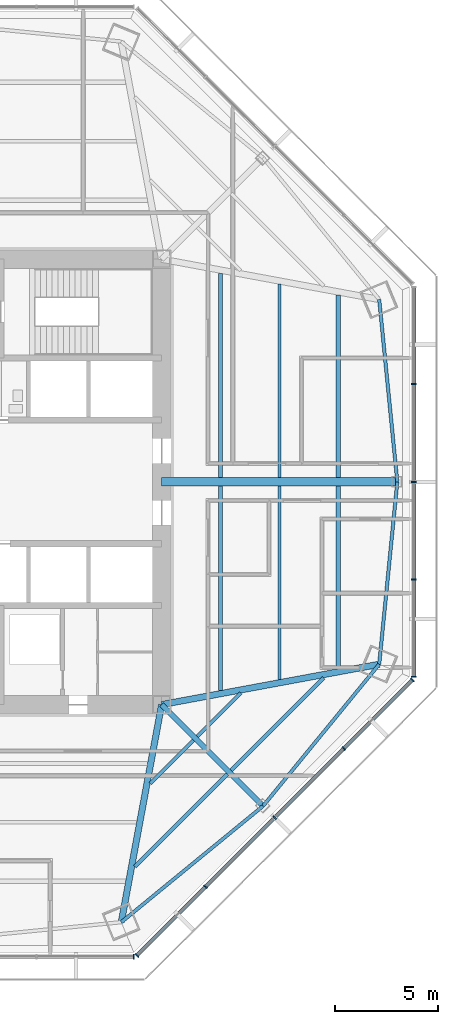
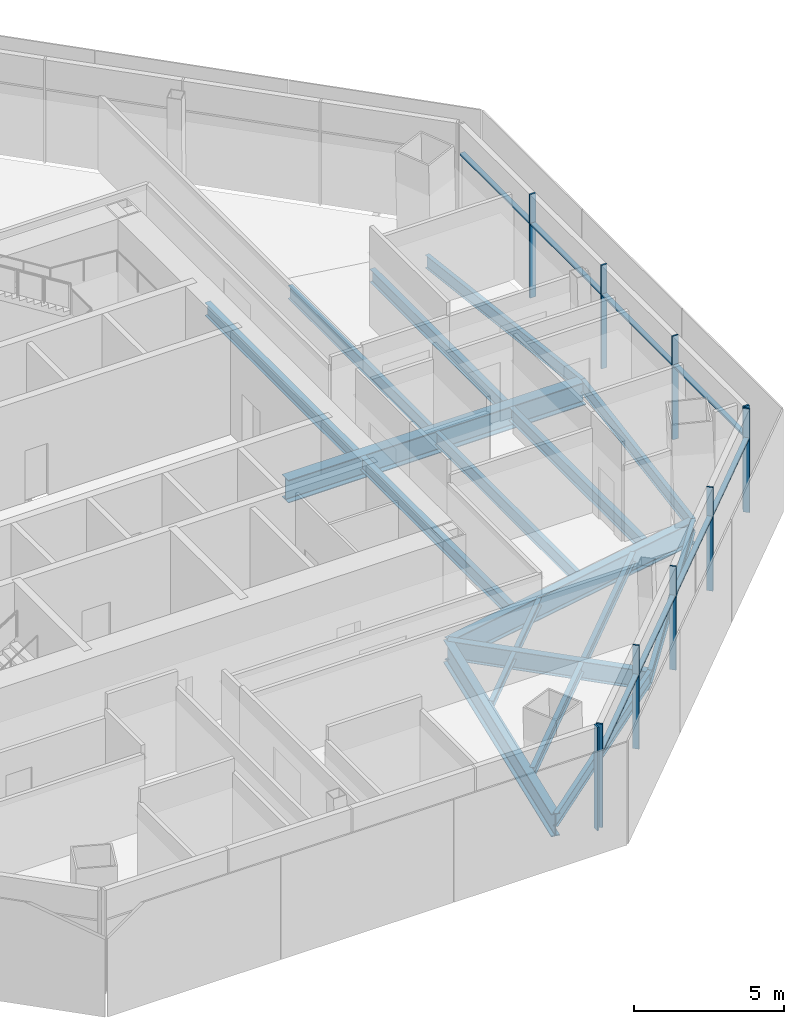
# One storey, part 4 of 15: 18 beams, 18 members, 3 elements without a shape of their own.
"""IFC4 building model written with IfcOpenShell, lengths in metres."""

from ifc_helpers import new_model, si_unit, direction, frame, origin, origin_2d, place, context, subcontext, project, spatial, rectangle, i_section, extrude, source, transform, mapped, material, material_profile, profile_set, type_object, type_shapes, element, aggregate, save


model = new_model("IFC4")

# Units and contexts
model_context = context("Model", 3, precision=1e-05, world=origin(), true_north=direction((0.0, 1.0)))
body_context = subcontext(model_context, "Body", "Model", "MODEL_VIEW")
ifc_project = project(units=[si_unit("LENGTHUNIT", "METRE"), si_unit("AREAUNIT", "SQUARE_METRE"), si_unit("VOLUMEUNIT", "CUBIC_METRE"), si_unit("PLANEANGLEUNIT", "RADIAN"), si_unit("MASSUNIT", "GRAM", prefix="KILO")], contexts=[model_context])

# Site, building, storey
site_placement = place(None, origin())
site = spatial("IfcSite", under=ifc_project, at=site_placement, CompositionType="ELEMENT")
building_placement = place(site_placement, origin())
building = spatial("IfcBuilding", under=site, at=building_placement, Name="Mashrafa Tower", CompositionType="ELEMENT")
storey_placement = place(building_placement, frame((0.0, 0.0, 176.39990234375)))
storey = spatial("IfcBuildingStorey", under=building, at=storey_placement, Name="L40", CompositionType="ELEMENT", Elevation=176.39990234375)

# Beams
ifc_material_1 = material(Name="Steel ASTM A992", Category="steel")
ifc_material_profile_1 = material_profile(ifc_material_1, i_section(OverallWidth=0.164794921875, OverallDepth=0.309814453125, WebThickness=0.005859375, FlangeThickness=0.009765625, FilletRadius=0.007568359375, at=origin_2d()), Name="W12X26")
ifc_profile_set_1 = profile_set([ifc_material_profile_1], Name="Steel ASTM A992")
beam_type_1 = type_object("IfcBeamType", Name="Beam W12X26", PredefinedType="BEAM", material=ifc_profile_set_1)
for number, where, z_axis, x_axis, name in (
    (1, (12.34521484375, -12.53369140625, -0.31982421875), (-0.707106781187, -0.707106781187, 0.0), (0.707106781187, -0.707106781187, 0.0), "Floor beam L40 029"),
    (2, (14.63330078125, -10.24560546875, -0.31982421875), (-0.707106781187, -0.707106781187, 0.0), (0.707106781187, -0.707106781187, 0.0), "Floor beam L40 035"),
):
    element("IfcBeam", number, at=place(storey_placement, frame(where, z_axis=z_axis, x_axis=x_axis)), inside=storey, type_object=beam_type_1, Name=name, PredefinedType="BEAM", context=body_context, shape_type="SweptSolid", body=[
        extrude(i_section(OverallWidth=0.164794921875, OverallDepth=0.309814453125, WebThickness=0.005859375, FlangeThickness=0.009765625, FilletRadius=0.007568359375, at=origin_2d()), origin(), (0.0, 0.0, 1.0), 2.96923828125),
    ])
ifc_material_2 = material(Name="Steel ASTM A992", Category="steel")
ifc_material_profile_2 = material_profile(ifc_material_2, i_section(OverallWidth=0.177734375, OverallDepth=0.406494140625, WebThickness=0.0078125, FlangeThickness=0.012939453125, FilletRadius=0.01025390625, at=origin_2d()), Name="W16X40")
ifc_profile_set_2 = profile_set([ifc_material_profile_2], Name="Steel ASTM A992")
beam_type_2 = type_object("IfcBeamType", Name="Beam W16X40", PredefinedType="BEAM", material=ifc_profile_set_2)
for number, where, z_axis, x_axis, name in (
    (3, (13.984619140625, -14.17333984375, -0.3681640625), (-0.707087536258, -0.707126025591, 0.0), (0.707126025591, -0.707087536258, 0.0), "Floor beam L40 033"),
    (4, (18.65869140625, -9.49951171875, -0.3681640625), (-0.707126025591, -0.707087536258, 0.0), (0.707087536258, -0.707126025591, 0.0), "Floor beam L40 038"),
):
    element("IfcBeam", number, at=place(storey_placement, frame(where, z_axis=z_axis, x_axis=x_axis)), inside=storey, type_object=beam_type_2, Name=name, PredefinedType="BEAM", context=body_context, shape_type="SweptSolid", body=[
        extrude(i_section(OverallWidth=0.177734375, OverallDepth=0.406494140625, WebThickness=0.0078125, FlangeThickness=0.012939453125, FilletRadius=0.01025390625, at=origin_2d()), origin(), (0.0, 0.0, 1.0), 6.343017578125),
    ])
ifc_material_3 = material(Name="Steel ASTM A992", Category="steel")
ifc_material_profile_3 = material_profile(ifc_material_3, i_section(OverallWidth=0.1650390625, OverallDepth=0.52587890625, WebThickness=0.0087890625, FlangeThickness=0.011474609375, FilletRadius=0.0126953125, at=origin_2d()), Name="W21X44")
ifc_profile_set_3 = profile_set([ifc_material_profile_3], Name="Steel ASTM A992")
beam_type_3 = type_object("IfcBeamType", Name="Beam W21X44", PredefinedType="BEAM", material=ifc_profile_set_3)
for number, where, z_axis, x_axis, name in (
    (5, (16.5146484375, -0.20947265625, -0.427734375), (0.0, -1.0, 0.0), (1.0, 0.0, 0.0), "Floor beam L40 036"),
    (6, (16.5146484375, 9.584228515625, -0.427734375), (0.0, -1.0, 0.0), (1.0, 0.0, 0.0), "Floor beam L40 037"),
):
    element("IfcBeam", number, at=place(storey_placement, frame(where, z_axis=z_axis, x_axis=x_axis)), inside=storey, type_object=beam_type_3, Name=name, PredefinedType="BEAM", context=body_context, shape_type="SweptSolid", body=[
        extrude(i_section(OverallWidth=0.1650390625, OverallDepth=0.52587890625, WebThickness=0.0087890625, FlangeThickness=0.011474609375, FilletRadius=0.0126953125, at=origin_2d()), origin(), (0.0, 0.0, 1.0), 9.374755859375),
    ])
for number, where, z_axis, x_axis, name in (
    (7, (8.843994140625, -21.35107421875, -0.427734375), (0.773517718955, 0.633774674835, 0.0), (-0.633774674835, 0.773517718955, 0.0), "Spandrel beam L40 066"),
    (8, (15.718505859375, -15.718505859375, -0.427734375), (0.633774674835, 0.773517718955, 0.0), (-0.773517718955, 0.633774674835, 0.0), "Spandrel beam L40 068"),
    (9, (21.35107421875, -8.843994140625, -0.427734375), (0.098810141474, 0.99510630384, 0.0), (-0.99510630384, 0.098810141474, 0.0), "Spandrel beam L40 070"),
    (10, (22.229248046875, 0.0, -0.427734375), (-0.098810141474, 0.99510630384, 0.0), (-0.99510630384, -0.098810141474, 0.0), "Spandrel beam L40 072"),
):
    element("IfcBeam", number, at=place(storey_placement, frame(where, z_axis=z_axis, x_axis=x_axis)), inside=storey, type_object=beam_type_3, Name=name, PredefinedType="BEAM", context=body_context, shape_type="SweptSolid", body=[
        extrude(i_section(OverallWidth=0.1650390625, OverallDepth=0.52587890625, WebThickness=0.0087890625, FlangeThickness=0.011474609375, FilletRadius=0.0126953125, at=origin_2d()), origin(), (0.0, 0.0, 1.0), 8.887451171875),
    ])
ifc_material_4 = material(Name="Steel ASTM A992", Category="steel")
ifc_material_profile_4 = material_profile(ifc_material_4, i_section(OverallWidth=0.209228515625, OverallDepth=0.533447265625, WebThickness=0.01025390625, FlangeThickness=0.015625, FilletRadius=0.012939453125, at=origin_2d()), Name="W21X62")
ifc_profile_set_4 = profile_set([ifc_material_profile_4], Name="Steel ASTM A992")
beam_type_4 = type_object("IfcBeamType", Name="Beam W21X62", PredefinedType="BEAM", material=ifc_profile_set_4)
for number, where, z_axis, x_axis, name in (
    (11, (13.6572265625, -0.20947265625, -0.431640625), (0.0, -1.0, 0.0), (1.0, 0.0, 0.0), "Floor beam L40 031"),
    (12, (13.6572265625, 10.114013671875, -0.431640625), (0.0, -1.0, 0.0), (1.0, 0.0, 0.0), "Floor beam L40 032"),
):
    element("IfcBeam", number, at=place(storey_placement, frame(where, z_axis=z_axis, x_axis=x_axis)), inside=storey, type_object=beam_type_4, Name=name, PredefinedType="BEAM", context=body_context, shape_type="SweptSolid", body=[
        extrude(i_section(OverallWidth=0.209228515625, OverallDepth=0.533447265625, WebThickness=0.01025390625, FlangeThickness=0.015625, FilletRadius=0.012939453125, at=origin_2d()), origin(), (0.0, 0.0, 1.0), 9.904541015625),
    ])
for number, where, z_axis, x_axis, name in (
    (13, (19.3720703125, -0.20947265625, -0.431640625), (0.0, -1.0, 0.0), (1.0, 0.0, 0.0), "Floor beam L40 039"),
    (14, (19.3720703125, 9.054443359375, -0.431640625), (0.0, -1.0, 0.0), (1.0, 0.0, 0.0), "Floor beam L40 040"),
):
    element("IfcBeam", number, at=place(storey_placement, frame(where, z_axis=z_axis, x_axis=x_axis)), inside=storey, type_object=beam_type_4, Name=name, PredefinedType="BEAM", context=body_context, shape_type="SweptSolid", body=[
        extrude(i_section(OverallWidth=0.209228515625, OverallDepth=0.533447265625, WebThickness=0.01025390625, FlangeThickness=0.015625, FilletRadius=0.012939453125, at=origin_2d()), origin(), (0.0, 0.0, 1.0), 8.844970703125),
    ])
ifc_material_5 = material(Name="Steel ASTM A992", Category="steel")
ifc_material_profile_5 = material_profile(ifc_material_5, i_section(OverallWidth=0.2666015625, OverallDepth=0.75439453125, WebThickness=0.01318359375, FlangeThickness=0.01708984375, FilletRadius=0.0166015625, at=origin_2d()), Name="W30X99")
ifc_profile_set_5 = profile_set([ifc_material_profile_5], Name="Steel ASTM A992")
beam_type_5 = type_object("IfcBeamType", Name="Beam W30X99", PredefinedType="BEAM", material=ifc_profile_set_5)
beam_1_placement = place(storey_placement, frame((10.800048828125, -10.800048828125, -0.5419921875), z_axis=(0.707106781187, -0.707106781187, 0.0), x_axis=(0.707106781187, 0.707106781187, 0.0)))
element("IfcBeam", 15, at=beam_1_placement, inside=storey, type_object=beam_type_5, Name="Radial girder L40 051", PredefinedType="BEAM", context=body_context, shape_type="SweptSolid", body=[
    extrude(i_section(OverallWidth=0.2666015625, OverallDepth=0.75439453125, WebThickness=0.01318359375, FlangeThickness=0.01708984375, FilletRadius=0.0166015625, at=origin_2d()), origin(), (0.0, 0.0, 1.0), 6.955810546875),
])
ifc_material_6 = material(Name="Steel ASTM A992", Category="steel")
ifc_material_profile_6 = material_profile(ifc_material_6, i_section(OverallWidth=0.307373046875, OverallDepth=0.927001953125, WebThickness=0.01953125, FlangeThickness=0.031982421875, FilletRadius=0.01904296875, at=origin_2d()), Name="W36X194")
ifc_profile_set_6 = profile_set([ifc_material_profile_6], Name="Steel ASTM A992")
beam_type_6 = type_object("IfcBeamType", Name="Beam W36X194", PredefinedType="BEAM", material=ifc_profile_set_6)
for number, where, z_axis, x_axis, name in (
    (16, (10.800048828125, -10.800048828125, -0.62841796875), (-0.182283970917, -0.983245927501, 0.0), (0.983245927501, -0.182283970917, 0.0), "Radial girder L40 050"),
    (17, (10.800048828125, -10.800048828125, -0.62841796875), (0.983245927501, 0.182283970917, 0.0), (-0.182283970917, 0.983245927501, 0.0), "Radial girder L40 052"),
):
    element("IfcBeam", number, at=place(storey_placement, frame(where, z_axis=z_axis, x_axis=x_axis)), inside=storey, type_object=beam_type_6, Name=name, PredefinedType="BEAM", context=body_context, shape_type="SweptSolid", body=[
        extrude(i_section(OverallWidth=0.307373046875, OverallDepth=0.927001953125, WebThickness=0.01953125, FlangeThickness=0.031982421875, FilletRadius=0.01904296875, at=origin_2d()), origin(), (0.0, 0.0, 1.0), 10.730712890625),
    ])
ifc_material_7 = material(Name="Steel ASTM A992", Category="steel")
ifc_material_profile_7 = material_profile(ifc_material_7, i_section(OverallWidth=0.419189453125, OverallDepth=0.927001953125, WebThickness=0.019287109375, FlangeThickness=0.031982421875, FilletRadius=0.020263671875, at=origin_2d()), Name="W36X231")
ifc_profile_set_7 = profile_set([ifc_material_profile_7], Name="Steel ASTM A992")
beam_type_7 = type_object("IfcBeamType", Name="Beam W36X231", PredefinedType="BEAM", material=ifc_profile_set_7)
beam_2_placement = place(storey_placement, frame((10.800048828125, 0.0, -0.62841796875), z_axis=(1.0, 0.0, 0.0), x_axis=(0.0, 1.0, 0.0)))
element("IfcBeam", 18, at=beam_2_placement, inside=storey, type_object=beam_type_7, Name="Radial girder L40 053", PredefinedType="BEAM", context=body_context, shape_type="SweptSolid", body=[
    extrude(i_section(OverallWidth=0.419189453125, OverallDepth=0.927001953125, WebThickness=0.019287109375, FlangeThickness=0.031982421875, FilletRadius=0.020263671875, at=origin_2d()), origin(), (0.0, 0.0, 1.0), 11.42919921875),
])

# Curtain wall, members
ifc_material_8 = material(Name="Unitised aluminium curtain wall", Category="aluminium")
curtain_wall_type = type_object("IfcCurtainWallType", Name="Office curtain wall, zone 2 CW-B 225 deep", PredefinedType="NOTDEFINED", material=ifc_material_8)
curtain_wall_1_placement = place(storey_placement, origin())
curtain_wall_1 = element("IfcCurtainWall", 19, at=curtain_wall_1_placement, inside=storey, type_object=curtain_wall_type, Name="Office curtain wall, zone 2 L40 east", PredefinedType="NOTDEFINED")
ifc_material_9 = material(Name="Extruded aluminium mullion", Category="aluminium")
ifc_material_profile_8 = material_profile(ifc_material_9, rectangle(XDim=0.22509765625, YDim=0.06494140625, at=origin_2d()), Name="Mullion 65x225")
ifc_profile_set_8 = profile_set([ifc_material_profile_8], Name="Extruded aluminium mullion")
member_type_1 = type_object("IfcMemberType", Name="Mullion CW-B 65 x 225", PredefinedType="MULLION", material=ifc_profile_set_8)
shared_shape_1 = source(origin(), body_context, "Body", "SweptSolid", [
    extrude(rectangle(XDim=0.22509765625, YDim=0.06494140625, at=origin_2d()), origin(), (0.0, 0.0, 1.0), 4.2001953125),
])
type_shapes(member_type_1, [shared_shape_1])
member_1_placement = place(storey_placement, frame((23.024658203125, -9.447998046875, 0.0), z_axis=(0.0, 0.0, 1.0), x_axis=(-1.0, 0.0, 0.0)))
member_1 = element("IfcMember", 20, at=member_1_placement, type_object=member_type_1, Name="CW-B mullion 1", PredefinedType="MULLION", context=body_context, shape_type="MappedRepresentation", body=[
    mapped(shared_shape_1, transform((0.0, 0.0, 0.0))),
])
member_2_placement = place(storey_placement, frame((23.024658203125, -4.740234375, 0.0), z_axis=(0.0, 0.0, 1.0), x_axis=(-1.0, 0.0, 0.0)))
member_2 = element("IfcMember", 21, at=member_2_placement, type_object=member_type_1, Name="CW-B mullion 2", PredefinedType="MULLION", context=body_context, shape_type="MappedRepresentation", body=[
    mapped(shared_shape_1, transform((0.0, 0.0, 0.0))),
])
member_3_placement = place(storey_placement, frame((23.024658203125, 0.0, 0.0), z_axis=(0.0, 0.0, 1.0), x_axis=(-1.0, 0.0, 0.0)))
member_3 = element("IfcMember", 22, at=member_3_placement, type_object=member_type_1, Name="CW-B mullion 3", PredefinedType="MULLION", context=body_context, shape_type="MappedRepresentation", body=[
    mapped(shared_shape_1, transform((0.0, 0.0, 0.0))),
])
member_4_placement = place(storey_placement, frame((23.024658203125, 4.740234375, 0.0), z_axis=(0.0, 0.0, 1.0), x_axis=(-1.0, 0.0, 0.0)))
member_4 = element("IfcMember", 23, at=member_4_placement, type_object=member_type_1, Name="CW-B mullion 4", PredefinedType="MULLION", context=body_context, shape_type="MappedRepresentation", body=[
    mapped(shared_shape_1, transform((0.0, 0.0, 0.0))),
])

# Curtain wall, member
curtain_wall_2_placement = place(storey_placement, origin())
curtain_wall_2 = element("IfcCurtainWall", 24, at=curtain_wall_2_placement, inside=storey, type_object=curtain_wall_type, Name="Office curtain wall, zone 2 L40 south", PredefinedType="NOTDEFINED")
member_5_placement = place(storey_placement, frame((9.447998046875, -23.024658203125, 0.0), z_axis=(0.0, 0.0, 1.0), x_axis=(0.0, 1.0, 0.0)))
member_5 = element("IfcMember", 25, at=member_5_placement, type_object=member_type_1, Name="CW-B mullion 5", PredefinedType="MULLION", context=body_context, shape_type="MappedRepresentation", body=[
    mapped(shared_shape_1, transform((0.0, 0.0, 0.0))),
])
aggregate(curtain_wall_2, [member_5])

# Curtain wall, members
curtain_wall_3_placement = place(storey_placement, origin())
curtain_wall_3 = element("IfcCurtainWall", 26, at=curtain_wall_3_placement, inside=storey, type_object=curtain_wall_type, Name="Office curtain wall, zone 2 L40 south-east", PredefinedType="NOTDEFINED")
member_6_placement = place(storey_placement, frame((9.60009765625, -22.961669921875, 0.0), z_axis=(0.0, 0.0, 1.0), x_axis=(-0.707106781187, 0.707106781187, 0.0)))
member_6 = element("IfcMember", 27, at=member_6_placement, type_object=member_type_1, Name="CW-B mullion 1", PredefinedType="MULLION", context=body_context, shape_type="MappedRepresentation", body=[
    mapped(shared_shape_1, transform((0.0, 0.0, 0.0))),
])
member_7_placement = place(storey_placement, frame((12.928955078125, -19.6328125, 0.0), z_axis=(0.0, 0.0, 1.0), x_axis=(-0.707106781187, 0.707106781187, 0.0)))
member_7 = element("IfcMember", 28, at=member_7_placement, type_object=member_type_1, Name="CW-B mullion 2", PredefinedType="MULLION", context=body_context, shape_type="MappedRepresentation", body=[
    mapped(shared_shape_1, transform((0.0, 0.0, 0.0))),
])
member_8_placement = place(storey_placement, frame((16.28076171875, -16.28076171875, 0.0), z_axis=(0.0, 0.0, 1.0), x_axis=(-0.707106781187, 0.707106781187, 0.0)))
member_8 = element("IfcMember", 29, at=member_8_placement, type_object=member_type_1, Name="CW-B mullion 3", PredefinedType="MULLION", context=body_context, shape_type="MappedRepresentation", body=[
    mapped(shared_shape_1, transform((0.0, 0.0, 0.0))),
])
member_9_placement = place(storey_placement, frame((19.6328125, -12.928955078125, 0.0), z_axis=(0.0, 0.0, 1.0), x_axis=(-0.707106781187, 0.707106781187, 0.0)))
member_9 = element("IfcMember", 30, at=member_9_placement, type_object=member_type_1, Name="CW-B mullion 4", PredefinedType="MULLION", context=body_context, shape_type="MappedRepresentation", body=[
    mapped(shared_shape_1, transform((0.0, 0.0, 0.0))),
])
member_10_placement = place(storey_placement, frame((22.961669921875, -9.60009765625, 0.0), z_axis=(0.0, 0.0, 1.0), x_axis=(-0.707106781187, 0.707106781187, 0.0)))
member_10 = element("IfcMember", 31, at=member_10_placement, type_object=member_type_1, Name="CW-B mullion 5", PredefinedType="MULLION", context=body_context, shape_type="MappedRepresentation", body=[
    mapped(shared_shape_1, transform((0.0, 0.0, 0.0))),
])

# Member
ifc_material_10 = material(Name="Extruded aluminium transom", Category="aluminium")
ifc_material_profile_9 = material_profile(ifc_material_10, rectangle(XDim=0.179931640625, YDim=0.080078125, at=origin_2d()), Name="Transom 80x180")
ifc_profile_set_9 = profile_set([ifc_material_profile_9], Name="Extruded aluminium transom")
member_type_2 = type_object("IfcMemberType", Name="Transom CW-B 80 x 180", PredefinedType="MULLION", material=ifc_profile_set_9)
shared_shape_2 = source(origin(), body_context, "Body", "SweptSolid", [
    extrude(rectangle(XDim=0.179931640625, YDim=0.080078125, at=origin_2d()), origin(), (0.0, 0.0, 1.0), 4.642822265625),
])
member_11_placement = place(storey_placement, frame((23.024658203125, -9.41552734375, 3.0), z_axis=(0.0, 1.0, 0.0), x_axis=(-1.0, 0.0, 0.0)))
member_11 = element("IfcMember", 32, at=member_11_placement, type_object=member_type_2, Name="CW-B transom 1", PredefinedType="MULLION", context=body_context, shape_type="MappedRepresentation", body=[
    mapped(shared_shape_2, transform((0.0, 0.0, 0.0))),
])

member_12_placement = place(storey_placement, frame((23.024658203125, 4.772705078125, 3.0), z_axis=(0.0, 1.0, 0.0), x_axis=(-1.0, 0.0, 0.0)))
member_12 = element("IfcMember", 33, at=member_12_placement, type_object=member_type_2, Name="CW-B transom 4", PredefinedType="MULLION", context=body_context, shape_type="MappedRepresentation", body=[
    mapped(shared_shape_2, transform((0.0, 0.0, 0.0))),
])

member_13_placement = place(storey_placement, frame((9.623046875, -22.938720703125, 3.0), z_axis=(0.707106781187, 0.707106781187, 0.0), x_axis=(-0.707106781187, 0.707106781187, 0.0)))
member_13 = element("IfcMember", 34, at=member_13_placement, type_object=member_type_2, Name="CW-B transom 1", PredefinedType="MULLION", context=body_context, shape_type="MappedRepresentation", body=[
    mapped(shared_shape_2, transform((0.0, 0.0, 0.0))),
])

member_14_placement = place(storey_placement, frame((19.65576171875, -12.906005859375, 3.0), z_axis=(0.707106781187, 0.707106781187, 0.0), x_axis=(-0.707106781187, 0.707106781187, 0.0)))
member_14 = element("IfcMember", 35, at=member_14_placement, type_object=member_type_2, Name="CW-B transom 4", PredefinedType="MULLION", context=body_context, shape_type="MappedRepresentation", body=[
    mapped(shared_shape_2, transform((0.0, 0.0, 0.0))),
])

shared_shape_3 = source(origin(), body_context, "Body", "SweptSolid", [
    extrude(rectangle(XDim=0.179931640625, YDim=0.080078125, at=origin_2d()), origin(), (0.0, 0.0, 1.0), 4.67529296875),
])
type_shapes(member_type_2, [shared_shape_2, shared_shape_3])
member_15_placement = place(storey_placement, frame((23.024658203125, -4.707763671875, 3.0), z_axis=(0.0, 1.0, 0.0), x_axis=(-1.0, 0.0, 0.0)))
member_15 = element("IfcMember", 36, at=member_15_placement, type_object=member_type_2, Name="CW-B transom 2", PredefinedType="MULLION", context=body_context, shape_type="MappedRepresentation", body=[
    mapped(shared_shape_3, transform((0.0, 0.0, 0.0))),
])

member_16_placement = place(storey_placement, frame((23.024658203125, 0.032470703125, 3.0), z_axis=(0.0, 1.0, 0.0), x_axis=(-1.0, 0.0, 0.0)))
member_16 = element("IfcMember", 37, at=member_16_placement, type_object=member_type_2, Name="CW-B transom 3", PredefinedType="MULLION", context=body_context, shape_type="MappedRepresentation", body=[
    mapped(shared_shape_3, transform((0.0, 0.0, 0.0))),
])

aggregate(curtain_wall_1, [member_1, member_2, member_3, member_4, member_11, member_15, member_16, member_12])

member_17_placement = place(storey_placement, frame((12.951904296875, -19.60986328125, 3.0), z_axis=(0.707106781187, 0.707106781187, 0.0), x_axis=(-0.707106781187, 0.707106781187, 0.0)))
member_17 = element("IfcMember", 38, at=member_17_placement, type_object=member_type_2, Name="CW-B transom 2", PredefinedType="MULLION", context=body_context, shape_type="MappedRepresentation", body=[
    mapped(shared_shape_3, transform((0.0, 0.0, 0.0))),
])

member_18_placement = place(storey_placement, frame((16.303955078125, -16.2578125, 3.0), z_axis=(0.707106781187, 0.707106781187, 0.0), x_axis=(-0.707106781187, 0.707106781187, 0.0)))
member_18 = element("IfcMember", 39, at=member_18_placement, type_object=member_type_2, Name="CW-B transom 3", PredefinedType="MULLION", context=body_context, shape_type="MappedRepresentation", body=[
    mapped(shared_shape_3, transform((0.0, 0.0, 0.0))),
])

aggregate(curtain_wall_3, [member_6, member_7, member_8, member_9, member_10, member_13, member_17, member_18, member_14])

save(model, "model.ifc")
